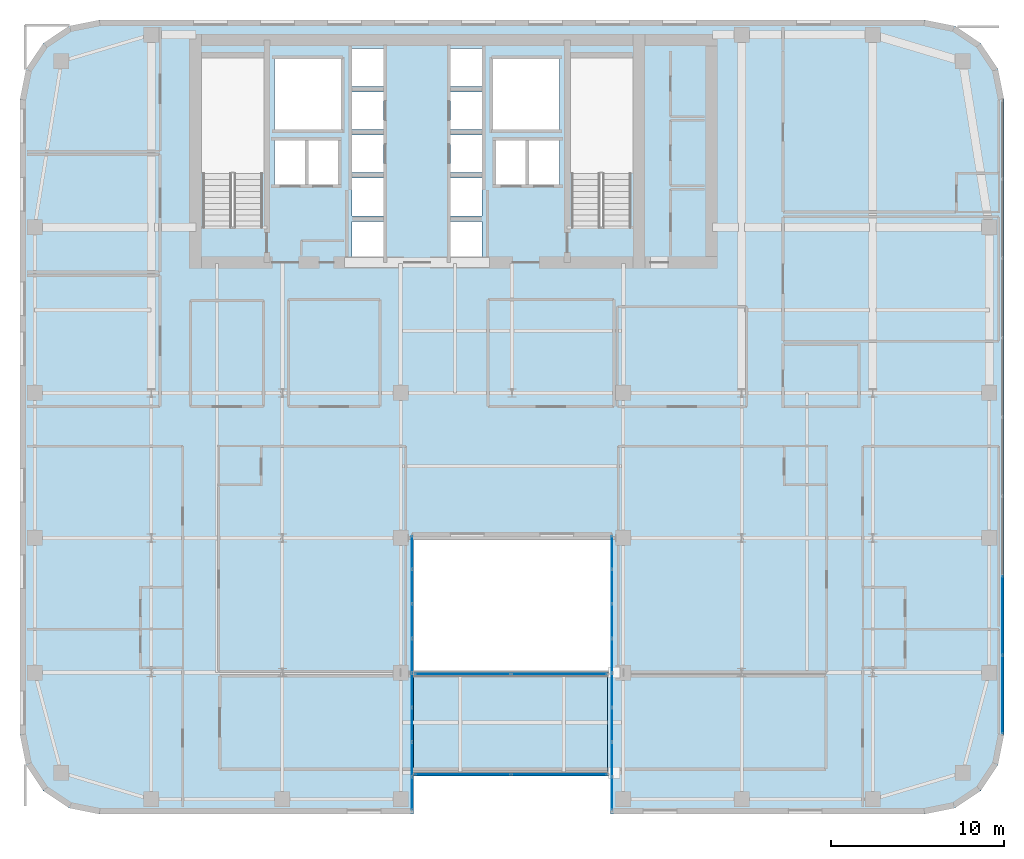
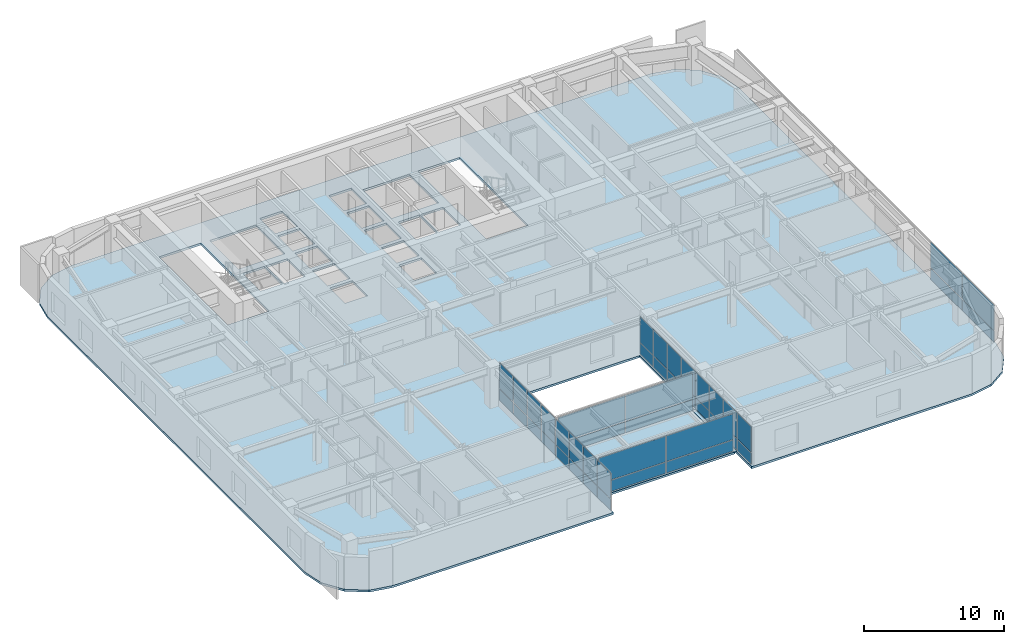
# One storey, part 15 of 25: 45 plates, 2 slabs, 5 elements without a shape of their own.
"""IFC4 building model written with IfcOpenShell, lengths in metres."""

from ifc_helpers import new_model, si_unit, direction, frame, origin, origin_2d, place, context, subcontext, project, spatial, polyline, rectangle, outline, extrude, source, transform, mapped, material, layer, layer_set, type_object, type_shapes, element, aggregate, save


model = new_model("IFC4")

# Units and contexts
model_context = context("Model", 3, precision=1e-05, world=origin(), true_north=direction((0.0, 1.0)))
body_context = subcontext(model_context, "Body", "Model", "MODEL_VIEW")
ifc_project = project(units=[si_unit("LENGTHUNIT", "METRE"), si_unit("AREAUNIT", "SQUARE_METRE"), si_unit("VOLUMEUNIT", "CUBIC_METRE"), si_unit("PLANEANGLEUNIT", "RADIAN"), si_unit("MASSUNIT", "GRAM", prefix="KILO")], contexts=[model_context])

# Site, building, storey
site_placement = place(None, origin())
site = spatial("IfcSite", under=ifc_project, at=site_placement, CompositionType="ELEMENT")
building_placement = place(site_placement, origin())
building = spatial("IfcBuilding", under=site, at=building_placement, Name="Tolvann Quenvar Hotel", CompositionType="ELEMENT")
storey_placement = place(building_placement, frame((0.0, 0.0, 122.199951171875)))
storey = spatial("IfcBuildingStorey", under=building, at=storey_placement, Name="L31", CompositionType="ELEMENT", Elevation=122.199951171875)

# Slabs
ifc_material_1 = material(Name="Concrete N40 (40 MPa)", Category="concrete")
ifc_layer_1 = layer(ifc_material_1, 0.179931640625)
ifc_layer_set_1 = layer_set([ifc_layer_1], Name="Concrete N40 (40 MPa)")
slab_type = type_object("IfcSlabType", Name="SLAB_TWR_180", PredefinedType="FLOOR", material=ifc_layer_set_1)
slab_1_placement = place(storey_placement, frame((0.0, 0.0, -0.179931640625)))
element("IfcSlab", 1, at=slab_1_placement, inside=storey, type_object=slab_type, Name="Level L31 Structural Floor Slab", PredefinedType="FLOOR", context=body_context, shape_type="SweptSolid", body=[
    extrude(outline(polyline([(0.0, 4.60009765625), (0.35009765625, 2.839599609375), (1.347412109375, 1.347412109375), (2.839599609375, 0.35009765625), (4.60009765625, 0.0), (22.800048828125, 0.0), (22.800048828125, 16.0), (34.199951171875, 16.0), (34.199951171875, 0.0), (52.39990234375, 0.0), (54.160400390625, 0.35009765625), (55.652587890625, 1.347412109375), (56.64990234375, 2.839599609375), (57.0, 4.60009765625), (57.0, 41.39990234375), (56.64990234375, 43.160400390625), (55.652587890625, 44.652587890625), (54.160400390625, 45.64990234375), (52.39990234375, 46.0), (4.60009765625, 46.0), (2.839599609375, 45.64990234375), (1.347412109375, 44.652587890625), (0.35009765625, 43.160400390625), (0.0, 41.39990234375), (0.0, 4.60009765625)]), holes=[polyline([(31.949951171875, 34.02490234375), (31.949951171875, 43.800048828125), (35.39990234375, 43.800048828125), (35.39990234375, 34.02490234375), (31.949951171875, 34.02490234375)]), polyline([(29.449951171875, 39.02001953125), (31.25, 39.02001953125), (31.25, 36.47998046875), (29.449951171875, 36.47998046875), (29.449951171875, 39.02001953125)]), polyline([(31.25, 43.75), (31.25, 39.64990234375), (27.39990234375, 39.64990234375), (27.39990234375, 43.75), (31.25, 43.75)]), polyline([(27.574951171875, 39.02001953125), (29.324951171875, 39.02001953125), (29.324951171875, 36.47998046875), (27.574951171875, 36.47998046875), (27.574951171875, 39.02001953125)]), polyline([(26.77001953125, 44.340087890625), (26.77001953125, 42.159912109375), (24.929931640625, 42.159912109375), (24.929931640625, 44.340087890625), (26.77001953125, 44.340087890625)]), polyline([(24.929931640625, 41.840087890625), (26.77001953125, 41.840087890625), (26.77001953125, 39.659912109375), (24.929931640625, 39.659912109375), (24.929931640625, 41.840087890625)]), polyline([(24.929931640625, 39.340087890625), (26.77001953125, 39.340087890625), (26.77001953125, 37.159912109375), (24.929931640625, 37.159912109375), (24.929931640625, 39.340087890625)]), polyline([(24.929931640625, 36.840087890625), (26.77001953125, 36.840087890625), (26.77001953125, 34.659912109375), (24.929931640625, 34.659912109375), (24.929931640625, 36.840087890625)]), polyline([(24.929931640625, 34.340087890625), (26.77001953125, 34.340087890625), (26.77001953125, 32.159912109375), (24.929931640625, 32.159912109375), (24.929931640625, 34.340087890625)]), polyline([(21.070068359375, 44.340087890625), (21.070068359375, 42.159912109375), (19.22998046875, 42.159912109375), (19.22998046875, 44.340087890625), (21.070068359375, 44.340087890625)]), polyline([(19.22998046875, 41.840087890625), (21.070068359375, 41.840087890625), (21.070068359375, 39.659912109375), (19.22998046875, 39.659912109375), (19.22998046875, 41.840087890625)]), polyline([(19.22998046875, 39.340087890625), (21.070068359375, 39.340087890625), (21.070068359375, 37.159912109375), (19.22998046875, 37.159912109375), (19.22998046875, 39.340087890625)]), polyline([(19.22998046875, 36.840087890625), (21.070068359375, 36.840087890625), (21.070068359375, 34.659912109375), (19.22998046875, 34.659912109375), (19.22998046875, 36.840087890625)]), polyline([(19.22998046875, 34.340087890625), (21.070068359375, 34.340087890625), (21.070068359375, 32.159912109375), (19.22998046875, 32.159912109375), (19.22998046875, 34.340087890625)]), polyline([(18.60009765625, 43.75), (18.60009765625, 39.64990234375), (14.75, 39.64990234375), (14.75, 43.75), (18.60009765625, 43.75)]), polyline([(16.675048828125, 39.02001953125), (18.425048828125, 39.02001953125), (18.425048828125, 36.47998046875), (16.675048828125, 36.47998046875), (16.675048828125, 39.02001953125)]), polyline([(14.75, 39.02001953125), (16.550048828125, 39.02001953125), (16.550048828125, 36.47998046875), (14.75, 36.47998046875), (14.75, 39.02001953125)]), polyline([(10.60009765625, 34.02490234375), (10.60009765625, 43.800048828125), (14.050048828125, 43.800048828125), (14.050048828125, 34.02490234375), (10.60009765625, 34.02490234375)])]), origin(), (0.0, 0.0, 1.0), 0.179931640625),
])
slab_2_placement = place(storey_placement, frame((0.0, 0.0, -0.179931640625)))
element("IfcSlab", 2, at=slab_2_placement, inside=storey, type_object=slab_type, Name="Level L31 Skybridge Deck Slab", PredefinedType="FLOOR", context=body_context, shape_type="SweptSolid", body=[
    extrude(outline(polyline([(22.800048828125, 2.199951171875), (34.080078125, 2.199951171875), (34.080078125, 8.199951171875), (22.800048828125, 8.199951171875), (22.800048828125, 2.199951171875)])), origin(), (0.0, 0.0, 1.0), 0.179931640625),
])

# Plate
ifc_material_2 = material(Name="Steel Grade 350", Category="steel")
ifc_layer_2 = layer(ifc_material_2, 0.02490234375)
ifc_layer_set_2 = layer_set([ifc_layer_2], Name="Steel Grade 350")
plate_type_1 = type_object("IfcPlateType", Name="PLT_MJ_6000", PredefinedType="SHEET", material=ifc_layer_set_2)
shared_shape_1 = source(origin(), body_context, "Body", "SweptSolid", [
    extrude(rectangle(XDim=0.239990234375, YDim=6.0, at=origin_2d()), origin(), (0.0, 0.0, 1.0), 0.02490234375),
])
type_shapes(plate_type_1, [shared_shape_1])
plate_1_placement = place(storey_placement, frame((34.139892578125, 5.199951171875, -0.02490234375), z_axis=(0.0, 0.0, 1.0), x_axis=(1.0, 0.0, 0.0)))
element("IfcPlate", 3, at=plate_1_placement, inside=storey, type_object=plate_type_1, Name="Skybridge Seismic Movement Joint Cover Plate (L31)", PredefinedType="SHEET", context=body_context, shape_type="MappedRepresentation", body=[
    mapped(shared_shape_1, transform((0.0, 0.0, 0.0), x_axis=(1.0, 0.0, 0.0), y_axis=(0.0, 1.0, 0.0), z_axis=(0.0, 0.0, 1.0), scale=1.0)),
])

# Curtain wall, plates
ifc_material_3 = material(Name="Thermally broken anodised architectural aluminium 6063-T6 and laminated low-E glass", Category="aluminium")
ifc_layer_3 = layer(ifc_material_3, 0.179931640625)
ifc_layer_set_3 = layer_set([ifc_layer_3], Name="Thermally broken anodised architectural aluminium 6063-T6 and laminated low-E glass")
curtain_wall_type_1 = type_object("IfcCurtainWallType", Name="CW_SYS_SLOT_03", PredefinedType="USERDEFINED", material=ifc_layer_set_3)
curtain_wall_1_placement = place(storey_placement, origin())
curtain_wall_1 = element("IfcCurtainWall", 4, at=curtain_wall_1_placement, inside=storey, type_object=curtain_wall_type_1, Name="Curtain Wall CW-SLOT-03 (CWR-L31-E05)", ObjectType="UNITISED CURTAIN WALL", PredefinedType="USERDEFINED")
ifc_material_4 = material(Name="Low-iron laminated double glazing with solar-control coating", Category="glass")
ifc_layer_4 = layer(ifc_material_4, 0.028076171875)
ifc_layer_set_4 = layer_set([ifc_layer_4], Name="Low-iron laminated double glazing with solar-control coating")
plate_type_2 = type_object("IfcPlateType", Name="CW_PAN_VISION_28", PredefinedType="CURTAIN_PANEL", material=ifc_layer_set_4)
shared_shape_2 = source(origin(), body_context, "Body", "SweptSolid", [
    extrude(rectangle(XDim=1.89501953125, YDim=0.028076171875, at=origin_2d()), origin(), (0.0, 0.0, 1.0), 0.9599609375),
])
plate_2_placement = place(storey_placement, frame((22.7099609375, 1.1923828125, 0.06005859375), z_axis=(0.0, 0.0, 1.0), x_axis=(0.0, 1.0, 0.0)))
plate_2 = element("IfcPlate", 5, at=plate_2_placement, type_object=plate_type_2, Name="CW-SLOT-03 panel 1.1", PredefinedType="CURTAIN_PANEL", context=body_context, shape_type="MappedRepresentation", body=[
    mapped(shared_shape_2, transform((0.0, 0.0, 0.0), x_axis=(1.0, 0.0, 0.0), y_axis=(0.0, 1.0, 0.0), z_axis=(0.0, 0.0, 1.0), scale=1.0)),
])
plate_3_placement = place(storey_placement, frame((22.7099609375, 15.157470703125, 0.06005859375), z_axis=(0.0, 0.0, 1.0), x_axis=(0.0, 1.0, 0.0)))
plate_3 = element("IfcPlate", 6, at=plate_3_placement, type_object=plate_type_2, Name="CW-SLOT-03 panel 8.1", PredefinedType="CURTAIN_PANEL", context=body_context, shape_type="MappedRepresentation", body=[
    mapped(shared_shape_2, transform((0.0, 0.0, 0.0), x_axis=(1.0, 0.0, 0.0), y_axis=(0.0, 1.0, 0.0), z_axis=(0.0, 0.0, 1.0), scale=1.0)),
])

curtain_wall_2_placement = place(storey_placement, origin())
curtain_wall_2 = element("IfcCurtainWall", 7, at=curtain_wall_2_placement, inside=storey, type_object=curtain_wall_type_1, Name="Curtain Wall CW-SLOT-03 (CWR-L31-E07)", ObjectType="UNITISED CURTAIN WALL", PredefinedType="USERDEFINED")
plate_4_placement = place(storey_placement, frame((34.2900390625, 15.157470703125, 0.06005859375), z_axis=(0.0, 0.0, 1.0), x_axis=(0.0, -1.0, 0.0)))
plate_4 = element("IfcPlate", 8, at=plate_4_placement, type_object=plate_type_2, Name="CW-SLOT-03 panel 1.1", PredefinedType="CURTAIN_PANEL", context=body_context, shape_type="MappedRepresentation", body=[
    mapped(shared_shape_2, transform((0.0, 0.0, 0.0), x_axis=(1.0, 0.0, 0.0), y_axis=(0.0, 1.0, 0.0), z_axis=(0.0, 0.0, 1.0), scale=1.0)),
])
plate_5_placement = place(storey_placement, frame((34.2900390625, 1.1923828125, 0.06005859375), z_axis=(0.0, 0.0, 1.0), x_axis=(0.0, -1.0, 0.0)))
plate_5 = element("IfcPlate", 9, at=plate_5_placement, type_object=plate_type_2, Name="CW-SLOT-03 panel 8.1", PredefinedType="CURTAIN_PANEL", context=body_context, shape_type="MappedRepresentation", body=[
    mapped(shared_shape_2, transform((0.0, 0.0, 0.0), x_axis=(1.0, 0.0, 0.0), y_axis=(0.0, 1.0, 0.0), z_axis=(0.0, 0.0, 1.0), scale=1.0)),
])

# Plate
shared_shape_3 = source(origin(), body_context, "Body", "SweptSolid", [
    extrude(rectangle(XDim=1.89501953125, YDim=0.028076171875, at=origin_2d()), origin(), (0.0, 0.0, 1.0), 2.22998046875),
])
plate_6_placement = place(storey_placement, frame((22.7099609375, 1.1923828125, 1.080078125), z_axis=(0.0, 0.0, 1.0), x_axis=(0.0, 1.0, 0.0)))
plate_6 = element("IfcPlate", 10, at=plate_6_placement, type_object=plate_type_2, Name="CW-SLOT-03 panel 1.2", PredefinedType="CURTAIN_PANEL", context=body_context, shape_type="MappedRepresentation", body=[
    mapped(shared_shape_3, transform((0.0, 0.0, 0.0), x_axis=(1.0, 0.0, 0.0), y_axis=(0.0, 1.0, 0.0), z_axis=(0.0, 0.0, 1.0), scale=1.0)),
])

plate_7_placement = place(storey_placement, frame((22.7099609375, 15.157470703125, 1.080078125), z_axis=(0.0, 0.0, 1.0), x_axis=(0.0, 1.0, 0.0)))
plate_7 = element("IfcPlate", 11, at=plate_7_placement, type_object=plate_type_2, Name="CW-SLOT-03 panel 8.2", PredefinedType="CURTAIN_PANEL", context=body_context, shape_type="MappedRepresentation", body=[
    mapped(shared_shape_3, transform((0.0, 0.0, 0.0), x_axis=(1.0, 0.0, 0.0), y_axis=(0.0, 1.0, 0.0), z_axis=(0.0, 0.0, 1.0), scale=1.0)),
])

plate_8_placement = place(storey_placement, frame((34.2900390625, 15.157470703125, 1.080078125), z_axis=(0.0, 0.0, 1.0), x_axis=(0.0, -1.0, 0.0)))
plate_8 = element("IfcPlate", 12, at=plate_8_placement, type_object=plate_type_2, Name="CW-SLOT-03 panel 1.2", PredefinedType="CURTAIN_PANEL", context=body_context, shape_type="MappedRepresentation", body=[
    mapped(shared_shape_3, transform((0.0, 0.0, 0.0), x_axis=(1.0, 0.0, 0.0), y_axis=(0.0, 1.0, 0.0), z_axis=(0.0, 0.0, 1.0), scale=1.0)),
])

plate_9_placement = place(storey_placement, frame((34.2900390625, 1.1923828125, 1.080078125), z_axis=(0.0, 0.0, 1.0), x_axis=(0.0, -1.0, 0.0)))
plate_9 = element("IfcPlate", 13, at=plate_9_placement, type_object=plate_type_2, Name="CW-SLOT-03 panel 8.2", PredefinedType="CURTAIN_PANEL", context=body_context, shape_type="MappedRepresentation", body=[
    mapped(shared_shape_3, transform((0.0, 0.0, 0.0), x_axis=(1.0, 0.0, 0.0), y_axis=(0.0, 1.0, 0.0), z_axis=(0.0, 0.0, 1.0), scale=1.0)),
])

shared_shape_4 = source(origin(), body_context, "Body", "SweptSolid", [
    extrude(rectangle(XDim=1.929931640625, YDim=0.028076171875, at=origin_2d()), origin(), (0.0, 0.0, 1.0), 0.9599609375),
])
plate_10_placement = place(storey_placement, frame((22.7099609375, 3.175048828125, 0.06005859375), z_axis=(0.0, 0.0, 1.0), x_axis=(0.0, 1.0, 0.0)))
plate_10 = element("IfcPlate", 14, at=plate_10_placement, type_object=plate_type_2, Name="CW-SLOT-03 panel 2.1", PredefinedType="CURTAIN_PANEL", context=body_context, shape_type="MappedRepresentation", body=[
    mapped(shared_shape_4, transform((0.0, 0.0, 0.0), x_axis=(1.0, 0.0, 0.0), y_axis=(0.0, 1.0, 0.0), z_axis=(0.0, 0.0, 1.0), scale=1.0)),
])

plate_11_placement = place(storey_placement, frame((22.7099609375, 5.175048828125, 0.06005859375), z_axis=(0.0, 0.0, 1.0), x_axis=(0.0, 1.0, 0.0)))
plate_11 = element("IfcPlate", 15, at=plate_11_placement, type_object=plate_type_2, Name="CW-SLOT-03 panel 3.1", PredefinedType="CURTAIN_PANEL", context=body_context, shape_type="MappedRepresentation", body=[
    mapped(shared_shape_4, transform((0.0, 0.0, 0.0), x_axis=(1.0, 0.0, 0.0), y_axis=(0.0, 1.0, 0.0), z_axis=(0.0, 0.0, 1.0), scale=1.0)),
])

plate_12_placement = place(storey_placement, frame((22.7099609375, 7.175048828125, 0.06005859375), z_axis=(0.0, 0.0, 1.0), x_axis=(0.0, 1.0, 0.0)))
plate_12 = element("IfcPlate", 16, at=plate_12_placement, type_object=plate_type_2, Name="CW-SLOT-03 panel 4.1", PredefinedType="CURTAIN_PANEL", context=body_context, shape_type="MappedRepresentation", body=[
    mapped(shared_shape_4, transform((0.0, 0.0, 0.0), x_axis=(1.0, 0.0, 0.0), y_axis=(0.0, 1.0, 0.0), z_axis=(0.0, 0.0, 1.0), scale=1.0)),
])

plate_13_placement = place(storey_placement, frame((22.7099609375, 9.175048828125, 0.06005859375), z_axis=(0.0, 0.0, 1.0), x_axis=(0.0, 1.0, 0.0)))
plate_13 = element("IfcPlate", 17, at=plate_13_placement, type_object=plate_type_2, Name="CW-SLOT-03 panel 5.1", PredefinedType="CURTAIN_PANEL", context=body_context, shape_type="MappedRepresentation", body=[
    mapped(shared_shape_4, transform((0.0, 0.0, 0.0), x_axis=(1.0, 0.0, 0.0), y_axis=(0.0, 1.0, 0.0), z_axis=(0.0, 0.0, 1.0), scale=1.0)),
])

plate_14_placement = place(storey_placement, frame((22.7099609375, 11.175048828125, 0.06005859375), z_axis=(0.0, 0.0, 1.0), x_axis=(0.0, 1.0, 0.0)))
plate_14 = element("IfcPlate", 18, at=plate_14_placement, type_object=plate_type_2, Name="CW-SLOT-03 panel 6.1", PredefinedType="CURTAIN_PANEL", context=body_context, shape_type="MappedRepresentation", body=[
    mapped(shared_shape_4, transform((0.0, 0.0, 0.0), x_axis=(1.0, 0.0, 0.0), y_axis=(0.0, 1.0, 0.0), z_axis=(0.0, 0.0, 1.0), scale=1.0)),
])

plate_15_placement = place(storey_placement, frame((22.7099609375, 13.175048828125, 0.06005859375), z_axis=(0.0, 0.0, 1.0), x_axis=(0.0, 1.0, 0.0)))
plate_15 = element("IfcPlate", 19, at=plate_15_placement, type_object=plate_type_2, Name="CW-SLOT-03 panel 7.1", PredefinedType="CURTAIN_PANEL", context=body_context, shape_type="MappedRepresentation", body=[
    mapped(shared_shape_4, transform((0.0, 0.0, 0.0), x_axis=(1.0, 0.0, 0.0), y_axis=(0.0, 1.0, 0.0), z_axis=(0.0, 0.0, 1.0), scale=1.0)),
])

plate_16_placement = place(storey_placement, frame((34.2900390625, 13.175048828125, 0.06005859375), z_axis=(0.0, 0.0, 1.0), x_axis=(0.0, -1.0, 0.0)))
plate_16 = element("IfcPlate", 20, at=plate_16_placement, type_object=plate_type_2, Name="CW-SLOT-03 panel 2.1", PredefinedType="CURTAIN_PANEL", context=body_context, shape_type="MappedRepresentation", body=[
    mapped(shared_shape_4, transform((0.0, 0.0, 0.0), x_axis=(1.0, 0.0, 0.0), y_axis=(0.0, 1.0, 0.0), z_axis=(0.0, 0.0, 1.0), scale=1.0)),
])

plate_17_placement = place(storey_placement, frame((34.2900390625, 11.175048828125, 0.06005859375), z_axis=(0.0, 0.0, 1.0), x_axis=(0.0, -1.0, 0.0)))
plate_17 = element("IfcPlate", 21, at=plate_17_placement, type_object=plate_type_2, Name="CW-SLOT-03 panel 3.1", PredefinedType="CURTAIN_PANEL", context=body_context, shape_type="MappedRepresentation", body=[
    mapped(shared_shape_4, transform((0.0, 0.0, 0.0), x_axis=(1.0, 0.0, 0.0), y_axis=(0.0, 1.0, 0.0), z_axis=(0.0, 0.0, 1.0), scale=1.0)),
])

plate_18_placement = place(storey_placement, frame((34.2900390625, 9.175048828125, 0.06005859375), z_axis=(0.0, 0.0, 1.0), x_axis=(0.0, -1.0, 0.0)))
plate_18 = element("IfcPlate", 22, at=plate_18_placement, type_object=plate_type_2, Name="CW-SLOT-03 panel 4.1", PredefinedType="CURTAIN_PANEL", context=body_context, shape_type="MappedRepresentation", body=[
    mapped(shared_shape_4, transform((0.0, 0.0, 0.0), x_axis=(1.0, 0.0, 0.0), y_axis=(0.0, 1.0, 0.0), z_axis=(0.0, 0.0, 1.0), scale=1.0)),
])

plate_19_placement = place(storey_placement, frame((34.2900390625, 7.175048828125, 0.06005859375), z_axis=(0.0, 0.0, 1.0), x_axis=(0.0, -1.0, 0.0)))
plate_19 = element("IfcPlate", 23, at=plate_19_placement, type_object=plate_type_2, Name="CW-SLOT-03 panel 5.1", PredefinedType="CURTAIN_PANEL", context=body_context, shape_type="MappedRepresentation", body=[
    mapped(shared_shape_4, transform((0.0, 0.0, 0.0), x_axis=(1.0, 0.0, 0.0), y_axis=(0.0, 1.0, 0.0), z_axis=(0.0, 0.0, 1.0), scale=1.0)),
])

plate_20_placement = place(storey_placement, frame((34.2900390625, 5.175048828125, 0.06005859375), z_axis=(0.0, 0.0, 1.0), x_axis=(0.0, -1.0, 0.0)))
plate_20 = element("IfcPlate", 24, at=plate_20_placement, type_object=plate_type_2, Name="CW-SLOT-03 panel 6.1", PredefinedType="CURTAIN_PANEL", context=body_context, shape_type="MappedRepresentation", body=[
    mapped(shared_shape_4, transform((0.0, 0.0, 0.0), x_axis=(1.0, 0.0, 0.0), y_axis=(0.0, 1.0, 0.0), z_axis=(0.0, 0.0, 1.0), scale=1.0)),
])

plate_21_placement = place(storey_placement, frame((34.2900390625, 3.175048828125, 0.06005859375), z_axis=(0.0, 0.0, 1.0), x_axis=(0.0, -1.0, 0.0)))
plate_21 = element("IfcPlate", 25, at=plate_21_placement, type_object=plate_type_2, Name="CW-SLOT-03 panel 7.1", PredefinedType="CURTAIN_PANEL", context=body_context, shape_type="MappedRepresentation", body=[
    mapped(shared_shape_4, transform((0.0, 0.0, 0.0), x_axis=(1.0, 0.0, 0.0), y_axis=(0.0, 1.0, 0.0), z_axis=(0.0, 0.0, 1.0), scale=1.0)),
])

shared_shape_5 = source(origin(), body_context, "Body", "SweptSolid", [
    extrude(rectangle(XDim=1.929931640625, YDim=0.028076171875, at=origin_2d()), origin(), (0.0, 0.0, 1.0), 2.22998046875),
])
plate_22_placement = place(storey_placement, frame((22.7099609375, 3.175048828125, 1.080078125), z_axis=(0.0, 0.0, 1.0), x_axis=(0.0, 1.0, 0.0)))
plate_22 = element("IfcPlate", 26, at=plate_22_placement, type_object=plate_type_2, Name="CW-SLOT-03 panel 2.2", PredefinedType="CURTAIN_PANEL", context=body_context, shape_type="MappedRepresentation", body=[
    mapped(shared_shape_5, transform((0.0, 0.0, 0.0), x_axis=(1.0, 0.0, 0.0), y_axis=(0.0, 1.0, 0.0), z_axis=(0.0, 0.0, 1.0), scale=1.0)),
])

plate_23_placement = place(storey_placement, frame((22.7099609375, 5.175048828125, 1.080078125), z_axis=(0.0, 0.0, 1.0), x_axis=(0.0, 1.0, 0.0)))
plate_23 = element("IfcPlate", 27, at=plate_23_placement, type_object=plate_type_2, Name="CW-SLOT-03 panel 3.2", PredefinedType="CURTAIN_PANEL", context=body_context, shape_type="MappedRepresentation", body=[
    mapped(shared_shape_5, transform((0.0, 0.0, 0.0), x_axis=(1.0, 0.0, 0.0), y_axis=(0.0, 1.0, 0.0), z_axis=(0.0, 0.0, 1.0), scale=1.0)),
])

plate_24_placement = place(storey_placement, frame((22.7099609375, 7.175048828125, 1.080078125), z_axis=(0.0, 0.0, 1.0), x_axis=(0.0, 1.0, 0.0)))
plate_24 = element("IfcPlate", 28, at=plate_24_placement, type_object=plate_type_2, Name="CW-SLOT-03 panel 4.2", PredefinedType="CURTAIN_PANEL", context=body_context, shape_type="MappedRepresentation", body=[
    mapped(shared_shape_5, transform((0.0, 0.0, 0.0), x_axis=(1.0, 0.0, 0.0), y_axis=(0.0, 1.0, 0.0), z_axis=(0.0, 0.0, 1.0), scale=1.0)),
])

plate_25_placement = place(storey_placement, frame((22.7099609375, 9.175048828125, 1.080078125), z_axis=(0.0, 0.0, 1.0), x_axis=(0.0, 1.0, 0.0)))
plate_25 = element("IfcPlate", 29, at=plate_25_placement, type_object=plate_type_2, Name="CW-SLOT-03 panel 5.2", PredefinedType="CURTAIN_PANEL", context=body_context, shape_type="MappedRepresentation", body=[
    mapped(shared_shape_5, transform((0.0, 0.0, 0.0), x_axis=(1.0, 0.0, 0.0), y_axis=(0.0, 1.0, 0.0), z_axis=(0.0, 0.0, 1.0), scale=1.0)),
])

plate_26_placement = place(storey_placement, frame((22.7099609375, 11.175048828125, 1.080078125), z_axis=(0.0, 0.0, 1.0), x_axis=(0.0, 1.0, 0.0)))
plate_26 = element("IfcPlate", 30, at=plate_26_placement, type_object=plate_type_2, Name="CW-SLOT-03 panel 6.2", PredefinedType="CURTAIN_PANEL", context=body_context, shape_type="MappedRepresentation", body=[
    mapped(shared_shape_5, transform((0.0, 0.0, 0.0), x_axis=(1.0, 0.0, 0.0), y_axis=(0.0, 1.0, 0.0), z_axis=(0.0, 0.0, 1.0), scale=1.0)),
])

plate_27_placement = place(storey_placement, frame((22.7099609375, 13.175048828125, 1.080078125), z_axis=(0.0, 0.0, 1.0), x_axis=(0.0, 1.0, 0.0)))
plate_27 = element("IfcPlate", 31, at=plate_27_placement, type_object=plate_type_2, Name="CW-SLOT-03 panel 7.2", PredefinedType="CURTAIN_PANEL", context=body_context, shape_type="MappedRepresentation", body=[
    mapped(shared_shape_5, transform((0.0, 0.0, 0.0), x_axis=(1.0, 0.0, 0.0), y_axis=(0.0, 1.0, 0.0), z_axis=(0.0, 0.0, 1.0), scale=1.0)),
])

aggregate(curtain_wall_1, [plate_2, plate_6, plate_10, plate_22, plate_11, plate_23, plate_12, plate_24, plate_13, plate_25, plate_14, plate_26, plate_15, plate_27, plate_3, plate_7])

plate_28_placement = place(storey_placement, frame((34.2900390625, 13.175048828125, 1.080078125), z_axis=(0.0, 0.0, 1.0), x_axis=(0.0, -1.0, 0.0)))
plate_28 = element("IfcPlate", 32, at=plate_28_placement, type_object=plate_type_2, Name="CW-SLOT-03 panel 2.2", PredefinedType="CURTAIN_PANEL", context=body_context, shape_type="MappedRepresentation", body=[
    mapped(shared_shape_5, transform((0.0, 0.0, 0.0), x_axis=(1.0, 0.0, 0.0), y_axis=(0.0, 1.0, 0.0), z_axis=(0.0, 0.0, 1.0), scale=1.0)),
])

plate_29_placement = place(storey_placement, frame((34.2900390625, 11.175048828125, 1.080078125), z_axis=(0.0, 0.0, 1.0), x_axis=(0.0, -1.0, 0.0)))
plate_29 = element("IfcPlate", 33, at=plate_29_placement, type_object=plate_type_2, Name="CW-SLOT-03 panel 3.2", PredefinedType="CURTAIN_PANEL", context=body_context, shape_type="MappedRepresentation", body=[
    mapped(shared_shape_5, transform((0.0, 0.0, 0.0), x_axis=(1.0, 0.0, 0.0), y_axis=(0.0, 1.0, 0.0), z_axis=(0.0, 0.0, 1.0), scale=1.0)),
])

plate_30_placement = place(storey_placement, frame((34.2900390625, 9.175048828125, 1.080078125), z_axis=(0.0, 0.0, 1.0), x_axis=(0.0, -1.0, 0.0)))
plate_30 = element("IfcPlate", 34, at=plate_30_placement, type_object=plate_type_2, Name="CW-SLOT-03 panel 4.2", PredefinedType="CURTAIN_PANEL", context=body_context, shape_type="MappedRepresentation", body=[
    mapped(shared_shape_5, transform((0.0, 0.0, 0.0), x_axis=(1.0, 0.0, 0.0), y_axis=(0.0, 1.0, 0.0), z_axis=(0.0, 0.0, 1.0), scale=1.0)),
])

plate_31_placement = place(storey_placement, frame((34.2900390625, 7.175048828125, 1.080078125), z_axis=(0.0, 0.0, 1.0), x_axis=(0.0, -1.0, 0.0)))
plate_31 = element("IfcPlate", 35, at=plate_31_placement, type_object=plate_type_2, Name="CW-SLOT-03 panel 5.2", PredefinedType="CURTAIN_PANEL", context=body_context, shape_type="MappedRepresentation", body=[
    mapped(shared_shape_5, transform((0.0, 0.0, 0.0), x_axis=(1.0, 0.0, 0.0), y_axis=(0.0, 1.0, 0.0), z_axis=(0.0, 0.0, 1.0), scale=1.0)),
])

plate_32_placement = place(storey_placement, frame((34.2900390625, 5.175048828125, 1.080078125), z_axis=(0.0, 0.0, 1.0), x_axis=(0.0, -1.0, 0.0)))
plate_32 = element("IfcPlate", 36, at=plate_32_placement, type_object=plate_type_2, Name="CW-SLOT-03 panel 6.2", PredefinedType="CURTAIN_PANEL", context=body_context, shape_type="MappedRepresentation", body=[
    mapped(shared_shape_5, transform((0.0, 0.0, 0.0), x_axis=(1.0, 0.0, 0.0), y_axis=(0.0, 1.0, 0.0), z_axis=(0.0, 0.0, 1.0), scale=1.0)),
])

plate_33_placement = place(storey_placement, frame((34.2900390625, 3.175048828125, 1.080078125), z_axis=(0.0, 0.0, 1.0), x_axis=(0.0, -1.0, 0.0)))
plate_33 = element("IfcPlate", 37, at=plate_33_placement, type_object=plate_type_2, Name="CW-SLOT-03 panel 7.2", PredefinedType="CURTAIN_PANEL", context=body_context, shape_type="MappedRepresentation", body=[
    mapped(shared_shape_5, transform((0.0, 0.0, 0.0), x_axis=(1.0, 0.0, 0.0), y_axis=(0.0, 1.0, 0.0), z_axis=(0.0, 0.0, 1.0), scale=1.0)),
])

aggregate(curtain_wall_2, [plate_4, plate_8, plate_16, plate_28, plate_17, plate_29, plate_18, plate_30, plate_19, plate_31, plate_20, plate_32, plate_21, plate_33, plate_5, plate_9])

# Curtain wall, plates
ifc_layer_5 = layer(ifc_material_3, 0.179931640625)
ifc_layer_set_5 = layer_set([ifc_layer_5], Name="Thermally broken anodised architectural aluminium 6063-T6 and laminated low-E glass")
curtain_wall_type_2 = type_object("IfcCurtainWallType", Name="CW_SYS_BAND_04", PredefinedType="USERDEFINED", material=ifc_layer_set_5)
curtain_wall_3_placement = place(storey_placement, origin())
curtain_wall_3 = element("IfcCurtainWall", 38, at=curtain_wall_3_placement, inside=storey, type_object=curtain_wall_type_2, Name="Curtain Wall CW-BAND-04 (CWR-L31-E13)", ObjectType="UNITISED CURTAIN WALL", PredefinedType="USERDEFINED")
shared_shape_6 = source(origin(), body_context, "Body", "SweptSolid", [
    extrude(rectangle(XDim=4.49072265625, YDim=0.028076171875, at=origin_2d()), origin(), (0.0, 0.0, 1.0), 0.9599609375),
])
plate_34_placement = place(storey_placement, frame((56.909912109375, 6.9326171875, 0.06005859375), z_axis=(0.0, 0.0, 1.0), x_axis=(0.0, 1.0, 0.0)))
plate_34 = element("IfcPlate", 39, at=plate_34_placement, type_object=plate_type_2, Name="CW-BAND-04 panel 1.1", PredefinedType="CURTAIN_PANEL", context=body_context, shape_type="MappedRepresentation", body=[
    mapped(shared_shape_6, transform((0.0, 0.0, 0.0), x_axis=(1.0, 0.0, 0.0), y_axis=(0.0, 1.0, 0.0), z_axis=(0.0, 0.0, 1.0), scale=1.0)),
])
shared_shape_7 = source(origin(), body_context, "Body", "SweptSolid", [
    extrude(rectangle(XDim=4.49072265625, YDim=0.028076171875, at=origin_2d()), origin(), (0.0, 0.0, 1.0), 2.22998046875),
])
plate_35_placement = place(storey_placement, frame((56.909912109375, 6.9326171875, 1.080078125), z_axis=(0.0, 0.0, 1.0), x_axis=(0.0, 1.0, 0.0)))
plate_35 = element("IfcPlate", 40, at=plate_35_placement, type_object=plate_type_2, Name="CW-BAND-04 panel 1.2", PredefinedType="CURTAIN_PANEL", context=body_context, shape_type="MappedRepresentation", body=[
    mapped(shared_shape_7, transform((0.0, 0.0, 0.0), x_axis=(1.0, 0.0, 0.0), y_axis=(0.0, 1.0, 0.0), z_axis=(0.0, 0.0, 1.0), scale=1.0)),
])
shared_shape_8 = source(origin(), body_context, "Body", "SweptSolid", [
    extrude(rectangle(XDim=4.525634765625, YDim=0.028076171875, at=origin_2d()), origin(), (0.0, 0.0, 1.0), 0.9599609375),
])
plate_36_placement = place(storey_placement, frame((56.909912109375, 11.5107421875, 0.06005859375), z_axis=(0.0, 0.0, 1.0), x_axis=(0.0, 1.0, 0.0)))
plate_36 = element("IfcPlate", 41, at=plate_36_placement, type_object=plate_type_2, Name="CW-BAND-04 panel 2.1", PredefinedType="CURTAIN_PANEL", context=body_context, shape_type="MappedRepresentation", body=[
    mapped(shared_shape_8, transform((0.0, 0.0, 0.0), x_axis=(1.0, 0.0, 0.0), y_axis=(0.0, 1.0, 0.0), z_axis=(0.0, 0.0, 1.0), scale=1.0)),
])
shared_shape_9 = source(origin(), body_context, "Body", "SweptSolid", [
    extrude(rectangle(XDim=4.525634765625, YDim=0.028076171875, at=origin_2d()), origin(), (0.0, 0.0, 1.0), 2.22998046875),
])
plate_37_placement = place(storey_placement, frame((56.909912109375, 11.5107421875, 1.080078125), z_axis=(0.0, 0.0, 1.0), x_axis=(0.0, 1.0, 0.0)))
plate_37 = element("IfcPlate", 42, at=plate_37_placement, type_object=plate_type_2, Name="CW-BAND-04 panel 2.2", PredefinedType="CURTAIN_PANEL", context=body_context, shape_type="MappedRepresentation", body=[
    mapped(shared_shape_9, transform((0.0, 0.0, 0.0), x_axis=(1.0, 0.0, 0.0), y_axis=(0.0, 1.0, 0.0), z_axis=(0.0, 0.0, 1.0), scale=1.0)),
])
aggregate(curtain_wall_3, [plate_34, plate_35, plate_36, plate_37])

curtain_wall_4_placement = place(storey_placement, origin())
curtain_wall_4 = element("IfcCurtainWall", 43, at=curtain_wall_4_placement, inside=storey, type_object=curtain_wall_type_1, Name="Curtain Wall CW-SLOT-03 (CWR-BRG-L31-S)", ObjectType="UNITISED CURTAIN WALL", PredefinedType="USERDEFINED")
shared_shape_10 = source(origin(), body_context, "Body", "SweptSolid", [
    extrude(rectangle(XDim=5.514892578125, YDim=0.028076171875, at=origin_2d()), origin(), (0.0, 0.0, 1.0), 0.9599609375),
])
plate_38_placement = place(storey_placement, frame((25.6474609375, 2.2900390625, 0.06005859375), z_axis=(0.0, 0.0, 1.0), x_axis=(1.0, 0.0, 0.0)))
plate_38 = element("IfcPlate", 44, at=plate_38_placement, type_object=plate_type_2, Name="CW-SLOT-03 panel 1.1", PredefinedType="CURTAIN_PANEL", context=body_context, shape_type="MappedRepresentation", body=[
    mapped(shared_shape_10, transform((0.0, 0.0, 0.0), x_axis=(1.0, 0.0, 0.0), y_axis=(0.0, 1.0, 0.0), z_axis=(0.0, 0.0, 1.0), scale=1.0)),
])
plate_39_placement = place(storey_placement, frame((31.232421875, 2.2900390625, 0.06005859375), z_axis=(0.0, 0.0, 1.0), x_axis=(1.0, 0.0, 0.0)))
plate_39 = element("IfcPlate", 45, at=plate_39_placement, type_object=plate_type_2, Name="CW-SLOT-03 panel 2.1", PredefinedType="CURTAIN_PANEL", context=body_context, shape_type="MappedRepresentation", body=[
    mapped(shared_shape_10, transform((0.0, 0.0, 0.0), x_axis=(1.0, 0.0, 0.0), y_axis=(0.0, 1.0, 0.0), z_axis=(0.0, 0.0, 1.0), scale=1.0)),
])

curtain_wall_5_placement = place(storey_placement, origin())
curtain_wall_5 = element("IfcCurtainWall", 46, at=curtain_wall_5_placement, inside=storey, type_object=curtain_wall_type_1, Name="Curtain Wall CW-SLOT-03 (CWR-BRG-L31-N)", ObjectType="UNITISED CURTAIN WALL", PredefinedType="USERDEFINED")
plate_40_placement = place(storey_placement, frame((31.232421875, 8.110107421875, 0.06005859375), z_axis=(0.0, 0.0, 1.0), x_axis=(-1.0, 0.0, 0.0)))
plate_40 = element("IfcPlate", 47, at=plate_40_placement, type_object=plate_type_2, Name="CW-SLOT-03 panel 1.1", PredefinedType="CURTAIN_PANEL", context=body_context, shape_type="MappedRepresentation", body=[
    mapped(shared_shape_10, transform((0.0, 0.0, 0.0), x_axis=(1.0, 0.0, 0.0), y_axis=(0.0, 1.0, 0.0), z_axis=(0.0, 0.0, 1.0), scale=1.0)),
])
plate_41_placement = place(storey_placement, frame((25.6474609375, 8.110107421875, 0.06005859375), z_axis=(0.0, 0.0, 1.0), x_axis=(-1.0, 0.0, 0.0)))
plate_41 = element("IfcPlate", 48, at=plate_41_placement, type_object=plate_type_2, Name="CW-SLOT-03 panel 2.1", PredefinedType="CURTAIN_PANEL", context=body_context, shape_type="MappedRepresentation", body=[
    mapped(shared_shape_10, transform((0.0, 0.0, 0.0), x_axis=(1.0, 0.0, 0.0), y_axis=(0.0, 1.0, 0.0), z_axis=(0.0, 0.0, 1.0), scale=1.0)),
])

# Plate
shared_shape_11 = source(origin(), body_context, "Body", "SweptSolid", [
    extrude(rectangle(XDim=5.514892578125, YDim=0.028076171875, at=origin_2d()), origin(), (0.0, 0.0, 1.0), 2.22998046875),
])
type_shapes(plate_type_2, [shared_shape_2, shared_shape_3, shared_shape_4, shared_shape_5, shared_shape_6, shared_shape_7, shared_shape_8, shared_shape_9, shared_shape_10, shared_shape_11])
plate_42_placement = place(storey_placement, frame((25.6474609375, 2.2900390625, 1.080078125), z_axis=(0.0, 0.0, 1.0), x_axis=(1.0, 0.0, 0.0)))
plate_42 = element("IfcPlate", 49, at=plate_42_placement, type_object=plate_type_2, Name="CW-SLOT-03 panel 1.2", PredefinedType="CURTAIN_PANEL", context=body_context, shape_type="MappedRepresentation", body=[
    mapped(shared_shape_11, transform((0.0, 0.0, 0.0), x_axis=(1.0, 0.0, 0.0), y_axis=(0.0, 1.0, 0.0), z_axis=(0.0, 0.0, 1.0), scale=1.0)),
])

plate_43_placement = place(storey_placement, frame((31.232421875, 2.2900390625, 1.080078125), z_axis=(0.0, 0.0, 1.0), x_axis=(1.0, 0.0, 0.0)))
plate_43 = element("IfcPlate", 50, at=plate_43_placement, type_object=plate_type_2, Name="CW-SLOT-03 panel 2.2", PredefinedType="CURTAIN_PANEL", context=body_context, shape_type="MappedRepresentation", body=[
    mapped(shared_shape_11, transform((0.0, 0.0, 0.0), x_axis=(1.0, 0.0, 0.0), y_axis=(0.0, 1.0, 0.0), z_axis=(0.0, 0.0, 1.0), scale=1.0)),
])

aggregate(curtain_wall_4, [plate_38, plate_42, plate_39, plate_43])

plate_44_placement = place(storey_placement, frame((31.232421875, 8.110107421875, 1.080078125), z_axis=(0.0, 0.0, 1.0), x_axis=(-1.0, 0.0, 0.0)))
plate_44 = element("IfcPlate", 51, at=plate_44_placement, type_object=plate_type_2, Name="CW-SLOT-03 panel 1.2", PredefinedType="CURTAIN_PANEL", context=body_context, shape_type="MappedRepresentation", body=[
    mapped(shared_shape_11, transform((0.0, 0.0, 0.0), x_axis=(1.0, 0.0, 0.0), y_axis=(0.0, 1.0, 0.0), z_axis=(0.0, 0.0, 1.0), scale=1.0)),
])

plate_45_placement = place(storey_placement, frame((25.6474609375, 8.110107421875, 1.080078125), z_axis=(0.0, 0.0, 1.0), x_axis=(-1.0, 0.0, 0.0)))
plate_45 = element("IfcPlate", 52, at=plate_45_placement, type_object=plate_type_2, Name="CW-SLOT-03 panel 2.2", PredefinedType="CURTAIN_PANEL", context=body_context, shape_type="MappedRepresentation", body=[
    mapped(shared_shape_11, transform((0.0, 0.0, 0.0), x_axis=(1.0, 0.0, 0.0), y_axis=(0.0, 1.0, 0.0), z_axis=(0.0, 0.0, 1.0), scale=1.0)),
])

aggregate(curtain_wall_5, [plate_40, plate_44, plate_41, plate_45])

save(model, "model.ifc")
